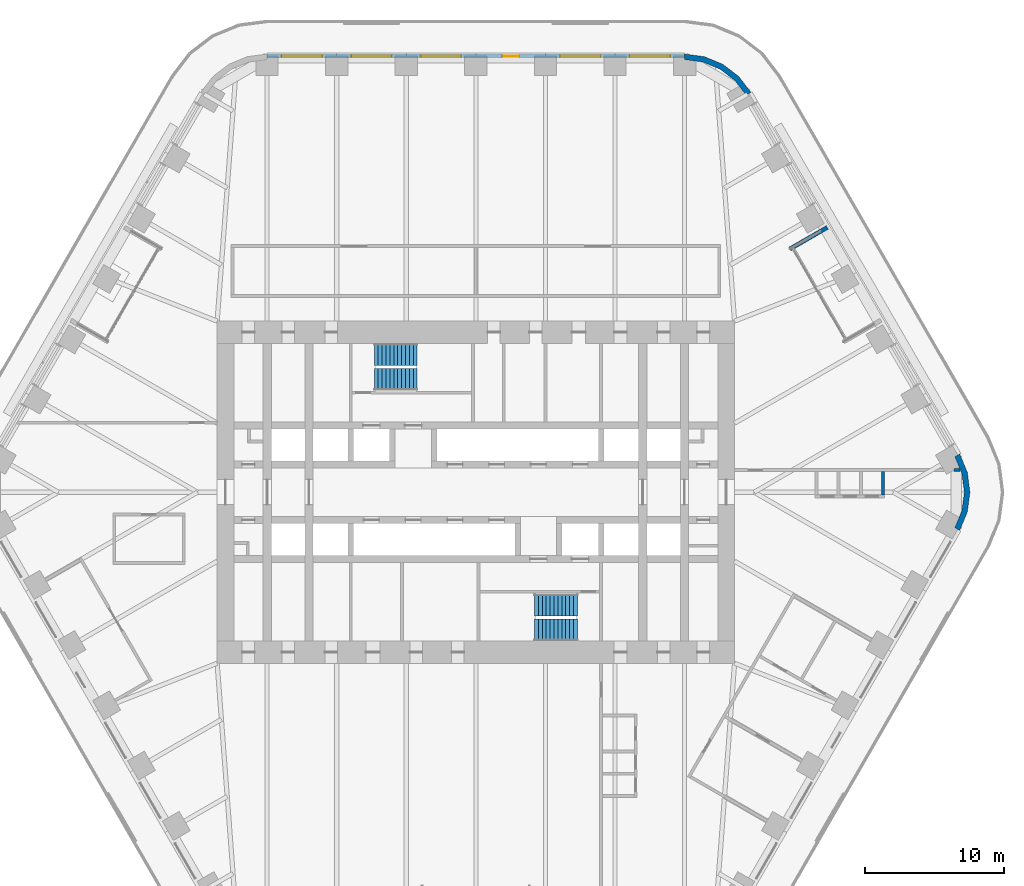
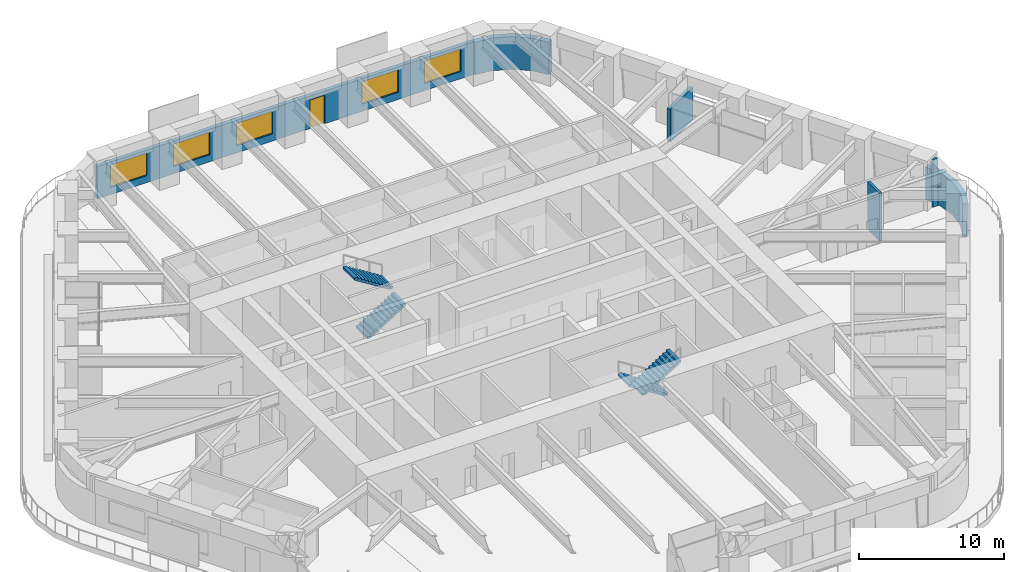
# One storey, part 21 of 24: 6 walls, 5 windows, 4 stair flights, 1 door, 6 openings, 2 elements without a shape of their own.
"""IFC4 building model written with IfcOpenShell, lengths in metres."""

from ifc_helpers import new_model, si_unit, direction, frame, frame_2d, origin, place, context, subcontext, project, spatial, polyline, rectangle, outline, extrude, material, layer, layer_set, type_object, element, fill, aggregate, save


model = new_model("IFC4")

# Units and contexts
model_context = context("Model", 3, precision=1e-05, world=origin(), true_north=direction((0.0, 1.0)))
body_context = subcontext(model_context, "Body", "Model", "MODEL_VIEW")
ifc_project = project(units=[si_unit("LENGTHUNIT", "METRE"), si_unit("AREAUNIT", "SQUARE_METRE"), si_unit("VOLUMEUNIT", "CUBIC_METRE"), si_unit("PLANEANGLEUNIT", "RADIAN"), si_unit("MASSUNIT", "GRAM", prefix="KILO")], contexts=[model_context])

# Site, building, storey
site_placement = place(None, origin())
site = spatial("IfcSite", under=ifc_project, at=site_placement, CompositionType="ELEMENT")
building_placement = place(site_placement, origin())
building = spatial("IfcBuilding", under=site, at=building_placement, Name="Tarfa Lantern Tower", CompositionType="ELEMENT")
storey_placement = place(building_placement, frame((0.0, 0.0, 161.5)))
storey = spatial("IfcBuildingStorey", under=building, at=storey_placement, Name="L36", CompositionType="ELEMENT", Elevation=161.5)

# Wall
ifc_material_1 = material(Name="Limestone cladding on blockwork", Category="masonry")
ifc_layer_1 = layer(ifc_material_1, 0.300048828125)
ifc_layer_set_1 = layer_set([ifc_layer_1], Name="EW1 STONE-CLAD WALL 300")
wall_type_1 = type_object("IfcWallType", Name="EW1 STONE-CLAD WALL 300", PredefinedType="SOLIDWALL", material=ifc_layer_set_1)
wall_1_placement = place(storey_placement, frame((25.266357421875, 19.037353515625, 0.0), z_axis=(0.0, 0.0, 1.0), x_axis=(-0.86600983753, -0.500026960575, 0.0)))
element("IfcWall", 1, at=wall_1_placement, inside=storey, type_object=wall_type_1, Name="Loggia return NE 2", PredefinedType="SOLIDWALL", context=body_context, shape_type="SweptSolid", body=[
    extrude(rectangle(XDim=3.099853515625, YDim=0.300048828125, at=frame_2d((1.5498046875, 0.0))), origin(), (0.0, 0.0, 1.0), 2.75),
])

# Wall, openings, door, windows
wall_2_placement = place(storey_placement, frame((15.010986328125, 31.35009765625, 0.0), z_axis=(0.0, 0.0, 1.0), x_axis=(-1.0, 0.0, 0.0)))
wall_2 = element("IfcWall", 2, at=wall_2_placement, inside=storey, type_object=wall_type_1, Name="Stone wall N", PredefinedType="SOLIDWALL", context=body_context, shape_type="SweptSolid", body=[
    extrude(rectangle(XDim=30.02197265625, YDim=0.300048828125, at=frame_2d((15.010986328125, 0.0))), origin(), (0.0, 0.0, 1.0), 2.75),
])
opening_1_placement = place(wall_2_placement, frame((1.0517578125, 0.0, 0.60009765625)))
opening_1 = element("IfcOpeningElement", 3, at=opening_1_placement, cuts=wall_2, Name="Opening W9", PredefinedType="OPENING", context=body_context, shape_type="SweptSolid", body=[
    extrude(rectangle(XDim=2.89990234375, YDim=1.89990234375, at=frame_2d((1.449951171875, 0.949951171875))), frame((0.0, 0.159912109375, 0.0), z_axis=(0.0, -1.0, 0.0), x_axis=(1.0, 0.0, 0.0)), (0.0, 0.0, 1.0), 0.320068359375),
])
opening_2_placement = place(wall_2_placement, frame((6.0556640625, 0.0, 0.60009765625)))
opening_2 = element("IfcOpeningElement", 4, at=opening_2_placement, cuts=wall_2, Name="Opening W9", PredefinedType="OPENING", context=body_context, shape_type="SweptSolid", body=[
    extrude(rectangle(XDim=2.89990234375, YDim=1.89990234375, at=frame_2d((1.449951171875, 0.949951171875))), frame((0.0, 0.159912109375, 0.0), z_axis=(0.0, -1.0, 0.0), x_axis=(1.0, 0.0, 0.0)), (0.0, 0.0, 1.0), 0.320068359375),
])
opening_3_placement = place(wall_2_placement, frame((11.9091796875, 0.0, 0.0)))
opening_3 = element("IfcOpeningElement", 5, at=opening_3_placement, cuts=wall_2, Name="Opening D50", PredefinedType="OPENING", context=body_context, shape_type="SweptSolid", body=[
    extrude(rectangle(XDim=1.199951171875, YDim=2.39990234375, at=frame_2d((0.60009765625, 1.199951171875))), frame((0.0, 0.159912109375, 0.0), z_axis=(0.0, -1.0, 0.0), x_axis=(1.0, 0.0, 0.0)), (0.0, 0.0, 1.0), 0.320068359375),
])
opening_4_placement = place(wall_2_placement, frame((16.06298828125, 0.0, 0.60009765625)))
opening_4 = element("IfcOpeningElement", 6, at=opening_4_placement, cuts=wall_2, Name="Opening W9", PredefinedType="OPENING", context=body_context, shape_type="SweptSolid", body=[
    extrude(rectangle(XDim=2.89990234375, YDim=1.89990234375, at=frame_2d((1.449951171875, 0.949951171875))), frame((0.0, 0.159912109375, 0.0), z_axis=(0.0, -1.0, 0.0), x_axis=(1.0, 0.0, 0.0)), (0.0, 0.0, 1.0), 0.320068359375),
])
opening_5_placement = place(wall_2_placement, frame((21.066650390625, 0.0, 0.60009765625)))
opening_5 = element("IfcOpeningElement", 7, at=opening_5_placement, cuts=wall_2, Name="Opening W9", PredefinedType="OPENING", context=body_context, shape_type="SweptSolid", body=[
    extrude(rectangle(XDim=2.89990234375, YDim=1.89990234375, at=frame_2d((1.449951171875, 0.949951171875))), frame((0.0, 0.159912109375, 0.0), z_axis=(0.0, -1.0, 0.0), x_axis=(1.0, 0.0, 0.0)), (0.0, 0.0, 1.0), 0.320068359375),
])
opening_6_placement = place(wall_2_placement, frame((26.0703125, 0.0, 0.60009765625)))
opening_6 = element("IfcOpeningElement", 8, at=opening_6_placement, cuts=wall_2, Name="Opening W9", PredefinedType="OPENING", context=body_context, shape_type="SweptSolid", body=[
    extrude(rectangle(XDim=2.89990234375, YDim=1.89990234375, at=frame_2d((1.449951171875, 0.949951171875))), frame((0.0, 0.159912109375, 0.0), z_axis=(0.0, -1.0, 0.0), x_axis=(1.0, 0.0, 0.0)), (0.0, 0.0, 1.0), 0.320068359375),
])
ifc_material_2 = material(Name="Aluminium framed glazed door", Category="aluminium")
door_type = type_object("IfcDoorType", Name="BE3 BALCONY DOOR 1200x2400", OperationType="SINGLE_SWING_RIGHT", PredefinedType="DOOR", material=ifc_material_2)
door_placement = place(opening_3_placement, origin())
door = element("IfcDoor", 9, at=door_placement, inside=storey, type_object=door_type, Name="Balcony door N", OperationType="SINGLE_SWING_RIGHT", OverallHeight=2.39990234375, OverallWidth=1.199951171875, PredefinedType="DOOR", context=body_context, shape_type="SweptSolid", body=[
    extrude(rectangle(XDim=1.199951171875, YDim=2.39990234375, at=frame_2d((0.60009765625, 1.199951171875))), frame((0.0, 0.02490234375, 0.0), z_axis=(0.0, -1.0, 0.0), x_axis=(1.0, 0.0, 0.0)), (0.0, 0.0, 1.0), 0.050048828125),
])
fill(opening_3, door)
ifc_material_3 = material(Name="Aluminium frame, double glazed", Category="aluminium")
window_type = type_object("IfcWindowType", Name="W9 FULL-HEIGHT GLAZING 2900x1900", PartitioningType="SINGLE_PANEL", PredefinedType="WINDOW", material=ifc_material_3)
window_1_placement = place(opening_1_placement, origin())
window_1 = element("IfcWindow", 10, at=window_1_placement, inside=storey, type_object=window_type, Name="Window N 1", OverallHeight=1.89990234375, OverallWidth=2.89990234375, PartitioningType="SINGLE_PANEL", PredefinedType="WINDOW", context=body_context, shape_type="SweptSolid", body=[
    extrude(rectangle(XDim=2.89990234375, YDim=1.89990234375, at=frame_2d((1.449951171875, 0.949951171875))), frame((0.0, 0.030029296875, 0.0), z_axis=(0.0, -1.0, 0.0), x_axis=(1.0, 0.0, 0.0)), (0.0, 0.0, 1.0), 0.06005859375),
])
fill(opening_1, window_1)
window_2_placement = place(opening_2_placement, origin())
window_2 = element("IfcWindow", 11, at=window_2_placement, inside=storey, type_object=window_type, Name="Window N 2", OverallHeight=1.89990234375, OverallWidth=2.89990234375, PartitioningType="SINGLE_PANEL", PredefinedType="WINDOW", context=body_context, shape_type="SweptSolid", body=[
    extrude(rectangle(XDim=2.89990234375, YDim=1.89990234375, at=frame_2d((1.449951171875, 0.949951171875))), frame((0.0, 0.030029296875, 0.0), z_axis=(0.0, -1.0, 0.0), x_axis=(1.0, 0.0, 0.0)), (0.0, 0.0, 1.0), 0.06005859375),
])
fill(opening_2, window_2)
window_3_placement = place(opening_4_placement, origin())
window_3 = element("IfcWindow", 12, at=window_3_placement, inside=storey, type_object=window_type, Name="Window N 4", OverallHeight=1.89990234375, OverallWidth=2.89990234375, PartitioningType="SINGLE_PANEL", PredefinedType="WINDOW", context=body_context, shape_type="SweptSolid", body=[
    extrude(rectangle(XDim=2.89990234375, YDim=1.89990234375, at=frame_2d((1.449951171875, 0.949951171875))), frame((0.0, 0.030029296875, 0.0), z_axis=(0.0, -1.0, 0.0), x_axis=(1.0, 0.0, 0.0)), (0.0, 0.0, 1.0), 0.06005859375),
])
fill(opening_4, window_3)
window_4_placement = place(opening_5_placement, origin())
window_4 = element("IfcWindow", 13, at=window_4_placement, inside=storey, type_object=window_type, Name="Window N 5", OverallHeight=1.89990234375, OverallWidth=2.89990234375, PartitioningType="SINGLE_PANEL", PredefinedType="WINDOW", context=body_context, shape_type="SweptSolid", body=[
    extrude(rectangle(XDim=2.89990234375, YDim=1.89990234375, at=frame_2d((1.449951171875, 0.949951171875))), frame((0.0, 0.030029296875, 0.0), z_axis=(0.0, -1.0, 0.0), x_axis=(1.0, 0.0, 0.0)), (0.0, 0.0, 1.0), 0.06005859375),
])
fill(opening_5, window_4)
window_5_placement = place(opening_6_placement, origin())
window_5 = element("IfcWindow", 14, at=window_5_placement, inside=storey, type_object=window_type, Name="Window N 6", OverallHeight=1.89990234375, OverallWidth=2.89990234375, PartitioningType="SINGLE_PANEL", PredefinedType="WINDOW", context=body_context, shape_type="SweptSolid", body=[
    extrude(rectangle(XDim=2.89990234375, YDim=1.89990234375, at=frame_2d((1.449951171875, 0.949951171875))), frame((0.0, 0.030029296875, 0.0), z_axis=(0.0, -1.0, 0.0), x_axis=(1.0, 0.0, 0.0)), (0.0, 0.0, 1.0), 0.06005859375),
])
fill(opening_6, window_5)

# Walls
ifc_layer_2 = layer(ifc_material_1, 0.39990234375)
ifc_layer_set_2 = layer_set([ifc_layer_2], Name="EW2 CURVED STONE CORNER 400")
wall_type_2 = type_object("IfcWallType", Name="EW2 CURVED STONE CORNER 400", PredefinedType="SOLIDWALL", material=ifc_layer_set_2)
wall_3_placement = place(storey_placement, origin())
element("IfcWall", 15, at=wall_3_placement, inside=storey, type_object=wall_type_2, Name="Stone corner NE-N", PredefinedType="SOLIDWALL", context=body_context, shape_type="SweptSolid", body=[
    extrude(outline(polyline([(19.774169921875, 28.75), (18.900146484375, 29.88916015625), (17.760986328125, 30.76318359375), (16.4345703125, 31.3125), (15.010986328125, 31.5), (15.010986328125, 31.10009765625), (16.3310546875, 30.92626953125), (17.56103515625, 30.416748046875), (18.617431640625, 29.606201171875), (19.427734375, 28.550048828125), (19.774169921875, 28.75)])), origin(), (0.0, 0.0, 1.0), 2.75),
])
wall_4_placement = place(storey_placement, origin())
element("IfcWall", 16, at=wall_4_placement, inside=storey, type_object=wall_type_2, Name="Stone corner SE-NE", PredefinedType="SOLIDWALL", context=body_context, shape_type="SweptSolid", body=[
    extrude(outline(polyline([(34.785400390625, -2.75), (35.334716796875, -1.423583984375), (35.522216796875, 0.0), (35.334716796875, 1.423583984375), (34.785400390625, 2.75), (34.43896484375, 2.550048828125), (34.948486328125, 1.320068359375), (35.122314453125, 0.0), (34.948486328125, -1.320068359375), (34.43896484375, -2.550048828125), (34.785400390625, -2.75)])), origin(), (0.0, 0.0, 1.0), 2.75),
])
ifc_material_4 = material(Name="Gypsum board on steel studs", Category="steel")
ifc_layer_3 = layer(ifc_material_4, 0.2099609375)
ifc_layer_set_3 = layer_set([ifc_layer_3], Name="IW2 ACOUSTIC PARTITION 200")
wall_type_3 = type_object("IfcWallType", Name="IW2 ACOUSTIC PARTITION 200", PredefinedType="PARTITIONING", material=ifc_layer_set_3)
wall_5_placement = place(storey_placement, frame((34.3935546875, 1.60009765625, 0.0), z_axis=(0.0, 0.0, 1.0), x_axis=(1.0, 0.0, 0.0)))
element("IfcWall", 17, at=wall_5_placement, inside=storey, type_object=wall_type_3, Name="Partition", PredefinedType="PARTITIONING", context=body_context, shape_type="SweptSolid", body=[
    extrude(rectangle(XDim=0.397705078125, YDim=0.199951171875, at=frame_2d((0.19873046875, 0.0))), origin(), (0.0, 0.0, 1.0), 4.0),
])
wall_6_placement = place(storey_placement, frame((29.28271484375, 1.5, 0.0), z_axis=(0.0, 0.0, 1.0), x_axis=(0.0, -1.0, 0.0)))
element("IfcWall", 18, at=wall_6_placement, inside=storey, type_object=wall_type_3, Name="Partition", PredefinedType="PARTITIONING", context=body_context, shape_type="SweptSolid", body=[
    extrude(rectangle(XDim=1.699951171875, YDim=0.199951171875, at=frame_2d((0.85009765625, 0.0))), origin(), (0.0, 0.0, 1.0), 4.0),
])

# Stair, stair flights
ifc_material_5 = material(Name="Concrete C40/50", Category="concrete")
stair_type = type_object("IfcStairType", Name="ST-T10 HALF-TURN STAIR 4200 RISE", PredefinedType="HALF_TURN_STAIR", material=ifc_material_5)
stair_1_placement = place(storey_placement, origin())
stair_1 = element("IfcStair", 19, at=stair_1_placement, inside=storey, type_object=stair_type, Name="Stair ST1", PredefinedType="HALF_TURN_STAIR")
stair_flight_type = type_object("IfcStairFlightType", Name="SF1 STAIR FLIGHT", PredefinedType="STRAIGHT", material=ifc_material_5)
stair_flight_1_placement = place(storey_placement, frame((-7.300048828125, 8.10009765625, 0.0), z_axis=(0.0, 0.0, 1.0), x_axis=(1.0, 0.0, 0.0)))
stair_flight_1 = element("IfcStairFlight", 20, at=stair_flight_1_placement, type_object=stair_flight_type, Name="ST1 flight 1", NumberOfRisers=12, NumberOfTreads=11, PredefinedType="STRAIGHT", RiserHeight=0.175, TreadLength=0.28, context=body_context, shape_type="SweptSolid", body=[
    extrude(outline(polyline([(0.0, 0.0), (0.0, 0.175048828125), (0.280029296875, 0.175048828125), (0.280029296875, 0.35009765625), (0.56005859375, 0.35009765625), (0.56005859375, 0.52490234375), (0.840087890625, 0.52490234375), (0.840087890625, 0.699951171875), (1.1201171875, 0.699951171875), (1.1201171875, 0.875), (1.39990234375, 0.875), (1.39990234375, 1.050048828125), (1.679931640625, 1.050048828125), (1.679931640625, 1.22509765625), (1.9599609375, 1.22509765625), (1.9599609375, 1.39990234375), (2.239990234375, 1.39990234375), (2.239990234375, 1.574951171875), (2.52001953125, 1.574951171875), (2.52001953125, 1.75), (2.800048828125, 1.75), (2.800048828125, 1.925048828125), (3.080078125, 1.925048828125), (3.080078125, 2.10009765625), (3.080078125, 1.748291015625), (0.28271484375, 0.0), (0.0, 0.0)])), frame((0.0, 0.800048828125, 0.0), z_axis=(0.0, -1.0, 0.0), x_axis=(1.0, 0.0, 0.0)), (0.0, 0.0, 1.0), 1.60009765625),
])
stair_flight_2_placement = place(storey_placement, frame((-4.219970703125, 9.89990234375, 2.10009765625), z_axis=(0.0, 0.0, 1.0), x_axis=(-1.0, 0.0, 0.0)))
stair_flight_2 = element("IfcStairFlight", 21, at=stair_flight_2_placement, type_object=stair_flight_type, Name="ST1 flight 2", NumberOfRisers=12, NumberOfTreads=11, PredefinedType="STRAIGHT", RiserHeight=0.175, TreadLength=0.28, context=body_context, shape_type="SweptSolid", body=[
    extrude(outline(polyline([(0.0, 0.0), (0.0, 0.175048828125), (0.280029296875, 0.175048828125), (0.280029296875, 0.35009765625), (0.56005859375, 0.35009765625), (0.56005859375, 0.52490234375), (0.840087890625, 0.52490234375), (0.840087890625, 0.699951171875), (1.1201171875, 0.699951171875), (1.1201171875, 0.875), (1.39990234375, 0.875), (1.39990234375, 1.050048828125), (1.679931640625, 1.050048828125), (1.679931640625, 1.22509765625), (1.9599609375, 1.22509765625), (1.9599609375, 1.39990234375), (2.239990234375, 1.39990234375), (2.239990234375, 1.574951171875), (2.52001953125, 1.574951171875), (2.52001953125, 1.75), (2.800048828125, 1.75), (2.800048828125, 1.925048828125), (3.080078125, 1.925048828125), (3.080078125, 2.10009765625), (3.080078125, 1.748291015625), (0.28271484375, 0.0), (0.0, 0.0)])), frame((0.0, 0.800048828125, 0.0), z_axis=(0.0, -1.0, 0.0), x_axis=(1.0, 0.0, 0.0)), (0.0, 0.0, 1.0), 1.60009765625),
])
aggregate(stair_1, [stair_flight_1, stair_flight_2])

stair_2_placement = place(storey_placement, origin())
stair_2 = element("IfcStair", 22, at=stair_2_placement, inside=storey, type_object=stair_type, Name="Stair ST2", PredefinedType="HALF_TURN_STAIR")
stair_flight_3_placement = place(storey_placement, frame((7.300048828125, -8.10009765625, 0.0), z_axis=(0.0, 0.0, 1.0), x_axis=(-1.0, 0.0, 0.0)))
stair_flight_3 = element("IfcStairFlight", 23, at=stair_flight_3_placement, type_object=stair_flight_type, Name="ST2 flight 1", NumberOfRisers=12, NumberOfTreads=11, PredefinedType="STRAIGHT", RiserHeight=0.175, TreadLength=0.28, context=body_context, shape_type="SweptSolid", body=[
    extrude(outline(polyline([(0.0, 0.0), (0.0, 0.175048828125), (0.280029296875, 0.175048828125), (0.280029296875, 0.35009765625), (0.56005859375, 0.35009765625), (0.56005859375, 0.52490234375), (0.840087890625, 0.52490234375), (0.840087890625, 0.699951171875), (1.1201171875, 0.699951171875), (1.1201171875, 0.875), (1.39990234375, 0.875), (1.39990234375, 1.050048828125), (1.679931640625, 1.050048828125), (1.679931640625, 1.22509765625), (1.9599609375, 1.22509765625), (1.9599609375, 1.39990234375), (2.239990234375, 1.39990234375), (2.239990234375, 1.574951171875), (2.52001953125, 1.574951171875), (2.52001953125, 1.75), (2.800048828125, 1.75), (2.800048828125, 1.925048828125), (3.080078125, 1.925048828125), (3.080078125, 2.10009765625), (3.080078125, 1.748291015625), (0.28271484375, 0.0), (0.0, 0.0)])), frame((0.0, 0.800048828125, 0.0), z_axis=(0.0, -1.0, 0.0), x_axis=(1.0, 0.0, 0.0)), (0.0, 0.0, 1.0), 1.60009765625),
])
stair_flight_4_placement = place(storey_placement, frame((4.219970703125, -9.89990234375, 2.10009765625), z_axis=(0.0, 0.0, 1.0), x_axis=(1.0, 0.0, 0.0)))
stair_flight_4 = element("IfcStairFlight", 24, at=stair_flight_4_placement, type_object=stair_flight_type, Name="ST2 flight 2", NumberOfRisers=12, NumberOfTreads=11, PredefinedType="STRAIGHT", RiserHeight=0.175, TreadLength=0.28, context=body_context, shape_type="SweptSolid", body=[
    extrude(outline(polyline([(0.0, 0.0), (0.0, 0.175048828125), (0.280029296875, 0.175048828125), (0.280029296875, 0.35009765625), (0.56005859375, 0.35009765625), (0.56005859375, 0.52490234375), (0.840087890625, 0.52490234375), (0.840087890625, 0.699951171875), (1.1201171875, 0.699951171875), (1.1201171875, 0.875), (1.39990234375, 0.875), (1.39990234375, 1.050048828125), (1.679931640625, 1.050048828125), (1.679931640625, 1.22509765625), (1.9599609375, 1.22509765625), (1.9599609375, 1.39990234375), (2.239990234375, 1.39990234375), (2.239990234375, 1.574951171875), (2.52001953125, 1.574951171875), (2.52001953125, 1.75), (2.800048828125, 1.75), (2.800048828125, 1.925048828125), (3.080078125, 1.925048828125), (3.080078125, 2.10009765625), (3.080078125, 1.748291015625), (0.28271484375, 0.0), (0.0, 0.0)])), frame((0.0, 0.800048828125, 0.0), z_axis=(0.0, -1.0, 0.0), x_axis=(1.0, 0.0, 0.0)), (0.0, 0.0, 1.0), 1.60009765625),
])
aggregate(stair_2, [stair_flight_3, stair_flight_4])

save(model, "model.ifc")
